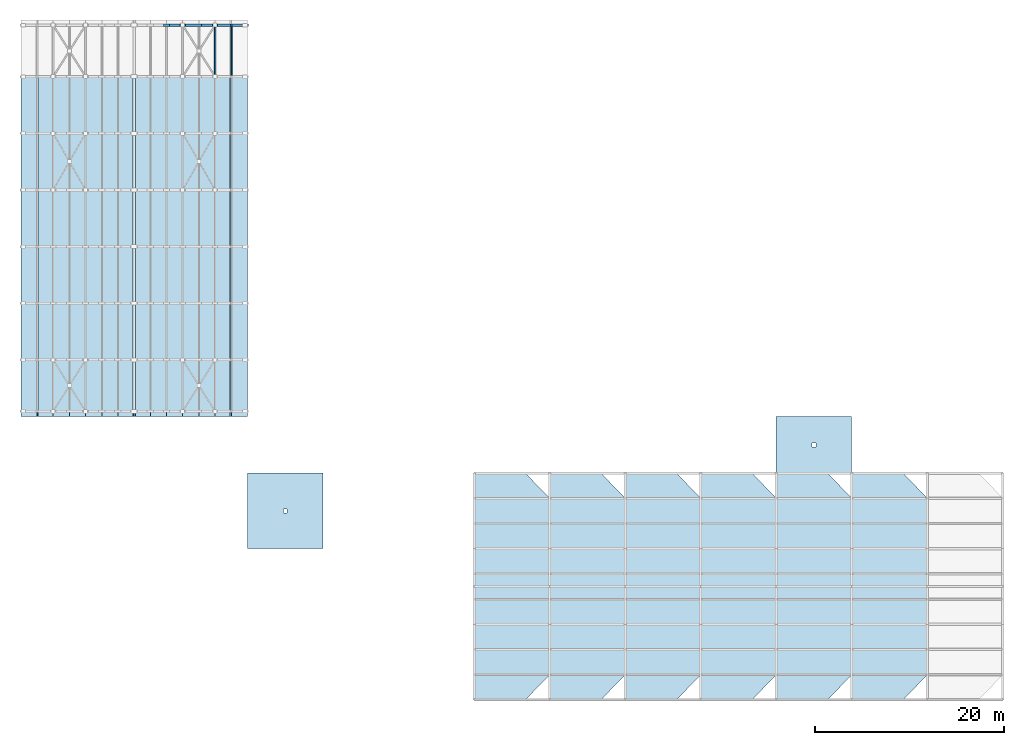
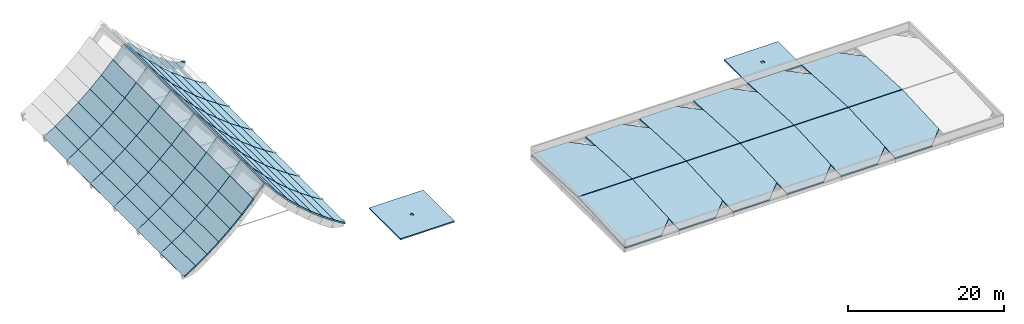
# One storey, part 4 of 7: 98 slabs, 7 members.
"""IFC4 building model written with IfcOpenShell, lengths in metres."""

from ifc_helpers import new_model, si_unit, direction, frame, origin, origin_2d, place, context, subcontext, project, spatial, polyline, rectangle, outline, extrude, material, layer, layer_set, material_profile, profile_set, type_object, element, save


model = new_model("IFC4")

# Units and contexts
model_context = context("Model", 3, precision=1e-05, world=origin(), true_north=direction((0.0, 1.0)))
body_context = subcontext(model_context, "Body", "Model", "MODEL_VIEW")
ifc_project = project(units=[si_unit("LENGTHUNIT", "METRE"), si_unit("AREAUNIT", "SQUARE_METRE"), si_unit("VOLUMEUNIT", "CUBIC_METRE"), si_unit("PLANEANGLEUNIT", "RADIAN"), si_unit("MASSUNIT", "GRAM", prefix="KILO")], contexts=[model_context])

# Site, building, storey
site_placement = place(None, origin())
site = spatial("IfcSite", under=ifc_project, at=site_placement, CompositionType="ELEMENT")
building_placement = place(site_placement, origin())
building = spatial("IfcBuilding", under=site, at=building_placement, Name="Solvane Community Centre", CompositionType="ELEMENT")
storey_placement = place(building_placement, frame((0.0, 0.0, 22.199951171875)))
storey = spatial("IfcBuildingStorey", under=building, at=storey_placement, Name="RF", CompositionType="ELEMENT", Elevation=22.199951171875)

# Members
ifc_material_1 = material(Name="Glulam GL32h", Category="wood")
ifc_material_profile_1 = material_profile(ifc_material_1, rectangle(XDim=0.280029296875, YDim=0.9599609375, at=origin_2d()), Name="GL32h 280x960")
ifc_profile_set_1 = profile_set([ifc_material_profile_1], Name="Glulam GL32h")
member_type_1 = type_object("IfcMemberType", Name="Main Hall Concave Vault Arch Rib 280x960", PredefinedType="USERDEFINED", material=ifc_profile_set_1)
member_1_placement = place(storey_placement, frame((51.428466796875, 77.449951171875, -0.3740234375), z_axis=(0.727369263195, 0.0, -0.686246278648), x_axis=(0.0, 1.0, 0.0)))
element("IfcMember", 1, at=member_1_placement, inside=storey, type_object=member_type_1, Name="Member MEM-RF-0114", ObjectType="ARCH_SEGMENT", PredefinedType="USERDEFINED", context=body_context, shape_type="SweptSolid", body=[
    extrude(rectangle(XDim=0.280029296875, YDim=0.9599609375, at=origin_2d()), origin(), (0.0, 0.0, 1.0), 2.35693359375),
])
member_2_placement = place(storey_placement, frame((53.142822265625, 77.449951171875, -1.991455078125), z_axis=(0.761120350915, 0.0, -0.648610677852), x_axis=(0.0, 1.0, 0.0)))
element("IfcMember", 2, at=member_2_placement, inside=storey, type_object=member_type_1, Name="Member MEM-RF-0115", ObjectType="ARCH_SEGMENT", PredefinedType="USERDEFINED", context=body_context, shape_type="SweptSolid", body=[
    extrude(rectangle(XDim=0.280029296875, YDim=0.9599609375, at=origin_2d()), origin(), (0.0, 0.0, 1.0), 2.25244140625),
])
member_3_placement = place(storey_placement, frame((54.857177734375, 77.449951171875, -3.452392578125), z_axis=(0.791780697504, 0.0, -0.610805473993), x_axis=(0.0, 1.0, 0.0)))
element("IfcMember", 3, at=member_3_placement, inside=storey, type_object=member_type_1, Name="Member MEM-RF-0116", ObjectType="ARCH_SEGMENT", PredefinedType="USERDEFINED", context=body_context, shape_type="SweptSolid", body=[
    extrude(rectangle(XDim=0.280029296875, YDim=0.9599609375, at=origin_2d()), origin(), (0.0, 0.0, 1.0), 2.165283203125),
])
member_4_placement = place(storey_placement, frame((56.571533203125, 77.449951171875, -4.77490234375), z_axis=(0.819489561323, 0.0, -0.57309410997), x_axis=(0.0, 1.0, 0.0)))
element("IfcMember", 4, at=member_4_placement, inside=storey, type_object=member_type_1, Name="Member MEM-RF-0117", ObjectType="ARCH_SEGMENT", PredefinedType="USERDEFINED", context=body_context, shape_type="SweptSolid", body=[
    extrude(rectangle(XDim=0.280029296875, YDim=0.9599609375, at=origin_2d()), origin(), (0.0, 0.0, 1.0), 2.091796875),
])
member_5_placement = place(storey_placement, frame((58.28564453125, 77.449951171875, -5.9736328125), z_axis=(0.982352033108, 0.0, -0.187041393943), x_axis=(0.0, 1.0, 0.0)))
element("IfcMember", 5, at=member_5_placement, inside=storey, type_object=member_type_1, Name="Member MEM-RF-0118", ObjectType="ARCH_SEGMENT", PredefinedType="USERDEFINED", context=body_context, shape_type="SweptSolid", body=[
    extrude(rectangle(XDim=0.280029296875, YDim=0.9599609375, at=origin_2d()), origin(), (0.0, 0.0, 1.0), 1.7451171875),
])
ifc_material_2 = material(Name="Glulam GL28h", Category="wood")
ifc_material_profile_2 = material_profile(ifc_material_2, rectangle(XDim=0.159912109375, YDim=0.360107421875, at=origin_2d()), Name="GL28h 160x360")
ifc_profile_set_2 = profile_set([ifc_material_profile_2], Name="Glulam GL28h")
member_type_2 = type_object("IfcMemberType", Name="Main Hall Vault Purlin 160x360", PredefinedType="PURLIN", material=ifc_profile_set_2)
for number, where, z_axis, x_axis, name in (
    (6, (56.571533203125, 72.0, -4.139892578125), (0.0, 1.0, 0.0), (-1.0, 0.0, 0.0), "Member MEM-RF-0209"),
    (7, (58.28564453125, 72.0, -5.338623046875), (0.0, 1.0, 0.0), (-1.0, 0.0, 0.0), "Member MEM-RF-0210"),
):
    element("IfcMember", number, at=place(storey_placement, frame(where, z_axis=z_axis, x_axis=x_axis)), inside=storey, type_object=member_type_2, Name=name, PredefinedType="PURLIN", context=body_context, shape_type="SweptSolid", body=[
        extrude(rectangle(XDim=0.159912109375, YDim=0.360107421875, at=origin_2d()), origin(), (0.0, 0.0, 1.0), 5.449951171875),
    ])

# Slabs
ifc_material_3 = material(Name="Cross-laminated timber C24", Category="wood")
ifc_layer_1 = layer(ifc_material_3, 0.199951171875)
ifc_layer_set_1 = layer_set([ifc_layer_1], Name="Cross-laminated timber C24")
slab_type_1 = type_object("IfcSlabType", Name="Insulated Pitched Roof Deck 200mm", PredefinedType="ROOF", material=ifc_layer_set_1)
slab_1_placement = place(storey_placement, frame((84.0, 6.0, 0.0), z_axis=(-7.218728e-06, -0.049949304334, 0.998751754414), x_axis=(0.999999999974, -3.6057e-07, 7.209717e-06)))
element("IfcSlab", 8, at=slab_1_placement, inside=storey, type_object=slab_type_1, Name="Pitched Roof SLB-PRF-V4-S1", PredefinedType="ROOF", context=body_context, shape_type="SweptSolid", body=[
    extrude(outline(polyline([(0.0, 0.0), (5.439941406108263, -2.8798810013916504e-22), (8.000000000625322, 2.632197648155185), (7.999999999924966, 11.964887212298295), (1.3340474325007824e-10, 11.964887212298295), (0.0, 0.0)])), origin(), (0.0, 0.0, -1.0), 0.199951171875),
])
slab_2_placement = place(storey_placement, frame((84.0, 18.050048828125, 0.59765625), z_axis=(-7.218728e-06, 0.049949304334, 0.998751754414), x_axis=(0.999999999974, 3.6057e-07, 7.209717e-06)))
element("IfcSlab", 9, at=slab_2_placement, inside=storey, type_object=slab_type_1, Name="Pitched Roof SLB-PRF-V4-N1", PredefinedType="ROOF", context=body_context, shape_type="SweptSolid", body=[
    extrude(outline(polyline([(0.0, 0.0), (7.9999999997915605, 4.235164736271502e-22), (8.000000000491916, 9.332689564143111), (5.439941405974857, 11.964887212298295), (-1.3340474325007824e-10, 11.964887212298295), (0.0, 0.0)])), origin(), (0.0, 0.0, -1.0), 0.199951171875),
])
slab_3_placement = place(storey_placement, frame((92.0, 6.0, 0.0), z_axis=(-7.218728e-06, -0.049949304334, 0.998751754414), x_axis=(0.999999999974, -3.6057e-07, 7.209717e-06)))
element("IfcSlab", 10, at=slab_3_placement, inside=storey, type_object=slab_type_1, Name="Pitched Roof SLB-PRF-V4-S2", PredefinedType="ROOF", context=body_context, shape_type="SweptSolid", body=[
    extrude(outline(polyline([(0.0, 0.0), (5.439941406108263, -2.8798810013916504e-22), (8.000000000625322, 2.632197648155185), (7.999999999924966, 11.964887212298295), (1.3340474325007824e-10, 11.964887212298295), (0.0, 0.0)])), origin(), (0.0, 0.0, -1.0), 0.199951171875),
])
slab_4_placement = place(storey_placement, frame((92.0, 18.050048828125, 0.59765625), z_axis=(-7.218728e-06, 0.049949304334, 0.998751754414), x_axis=(0.999999999974, 3.6057e-07, 7.209717e-06)))
element("IfcSlab", 11, at=slab_4_placement, inside=storey, type_object=slab_type_1, Name="Pitched Roof SLB-PRF-V4-N2", PredefinedType="ROOF", context=body_context, shape_type="SweptSolid", body=[
    extrude(outline(polyline([(0.0, 0.0), (7.9999999997915605, 4.235164736271502e-22), (8.000000000491916, 9.332689564143111), (5.439941405974857, 11.964887212298295), (-1.3340474325007824e-10, 11.964887212298295), (0.0, 0.0)])), origin(), (0.0, 0.0, -1.0), 0.199951171875),
])
slab_5_placement = place(storey_placement, frame((100.0, 6.0, 0.0), z_axis=(-7.218728e-06, -0.049949304334, 0.998751754414), x_axis=(0.999999999974, -3.6057e-07, 7.209717e-06)))
element("IfcSlab", 12, at=slab_5_placement, inside=storey, type_object=slab_type_1, Name="Pitched Roof SLB-PRF-V4-S3", PredefinedType="ROOF", context=body_context, shape_type="SweptSolid", body=[
    extrude(outline(polyline([(0.0, 0.0), (5.439941406108263, -2.8798810013916504e-22), (8.000000000625322, 2.632197648155185), (7.999999999924966, 11.964887212298295), (1.3340474325007824e-10, 11.964887212298295), (0.0, 0.0)])), origin(), (0.0, 0.0, -1.0), 0.199951171875),
])
slab_6_placement = place(storey_placement, frame((100.0, 18.050048828125, 0.59765625), z_axis=(-7.218728e-06, 0.049949304334, 0.998751754414), x_axis=(0.999999999974, 3.6057e-07, 7.209717e-06)))
element("IfcSlab", 13, at=slab_6_placement, inside=storey, type_object=slab_type_1, Name="Pitched Roof SLB-PRF-V4-N3", PredefinedType="ROOF", context=body_context, shape_type="SweptSolid", body=[
    extrude(outline(polyline([(0.0, 0.0), (7.9999999997915605, 4.235164736271502e-22), (8.000000000491916, 9.332689564143111), (5.439941405974857, 11.964887212298295), (-1.3340474325007824e-10, 11.964887212298295), (0.0, 0.0)])), origin(), (0.0, 0.0, -1.0), 0.199951171875),
])
slab_7_placement = place(storey_placement, frame((108.0, 6.0, 0.0), z_axis=(-7.218728e-06, -0.049949304334, 0.998751754414), x_axis=(0.999999999974, -3.6057e-07, 7.209717e-06)))
element("IfcSlab", 14, at=slab_7_placement, inside=storey, type_object=slab_type_1, Name="Pitched Roof SLB-PRF-V4-S4", PredefinedType="ROOF", context=body_context, shape_type="SweptSolid", body=[
    extrude(outline(polyline([(0.0, 0.0), (5.439941406108263, -2.8798810013916504e-22), (8.000000000625322, 2.632197648155185), (7.999999999924966, 11.964887212298295), (1.3340474325007824e-10, 11.964887212298295), (0.0, 0.0)])), origin(), (0.0, 0.0, -1.0), 0.199951171875),
])
slab_8_placement = place(storey_placement, frame((108.0, 18.050048828125, 0.59765625), z_axis=(-7.218728e-06, 0.049949304334, 0.998751754414), x_axis=(0.999999999974, 3.6057e-07, 7.209717e-06)))
element("IfcSlab", 15, at=slab_8_placement, inside=storey, type_object=slab_type_1, Name="Pitched Roof SLB-PRF-V4-N4", PredefinedType="ROOF", context=body_context, shape_type="SweptSolid", body=[
    extrude(outline(polyline([(0.0, 0.0), (7.9999999997915605, 4.235164736271502e-22), (8.000000000491916, 9.332689564143111), (5.439941405974857, 11.964887212298295), (-1.3340474325007824e-10, 11.964887212298295), (0.0, 0.0)])), origin(), (0.0, 0.0, -1.0), 0.199951171875),
])
slab_9_placement = place(storey_placement, frame((116.0, 6.0, 0.0), z_axis=(-7.218728e-06, -0.049949304334, 0.998751754414), x_axis=(0.999999999974, -3.6057e-07, 7.209717e-06)))
element("IfcSlab", 16, at=slab_9_placement, inside=storey, type_object=slab_type_1, Name="Pitched Roof SLB-PRF-V4-S5", PredefinedType="ROOF", context=body_context, shape_type="SweptSolid", body=[
    extrude(outline(polyline([(0.0, 0.0), (5.439941406108263, -2.8798810013916504e-22), (8.000000000625322, 2.632197648155185), (7.999999999924966, 11.964887212298295), (1.3340474325007824e-10, 11.964887212298295), (0.0, 0.0)])), origin(), (0.0, 0.0, -1.0), 0.199951171875),
])
slab_10_placement = place(storey_placement, frame((116.0, 18.050048828125, 0.59765625), z_axis=(-7.218728e-06, 0.049949304334, 0.998751754414), x_axis=(0.999999999974, 3.6057e-07, 7.209717e-06)))
element("IfcSlab", 17, at=slab_10_placement, inside=storey, type_object=slab_type_1, Name="Pitched Roof SLB-PRF-V4-N5", PredefinedType="ROOF", context=body_context, shape_type="SweptSolid", body=[
    extrude(outline(polyline([(0.0, 0.0), (7.9999999997915605, 4.235164736271502e-22), (8.000000000491916, 9.332689564143111), (5.439941405974857, 11.964887212298295), (-1.3340474325007824e-10, 11.964887212298295), (0.0, 0.0)])), origin(), (0.0, 0.0, -1.0), 0.199951171875),
])
slab_11_placement = place(storey_placement, frame((124.0, 6.0, 0.0), z_axis=(-7.218728e-06, -0.049949304334, 0.998751754414), x_axis=(0.999999999974, -3.6057e-07, 7.209717e-06)))
element("IfcSlab", 18, at=slab_11_placement, inside=storey, type_object=slab_type_1, Name="Pitched Roof SLB-PRF-V4-S6", PredefinedType="ROOF", context=body_context, shape_type="SweptSolid", body=[
    extrude(outline(polyline([(0.0, 0.0), (5.439941406108263, -2.8798810013916504e-22), (8.000000000625322, 2.632197648155185), (7.999999999924966, 11.964887212298295), (1.3340474325007824e-10, 11.964887212298295), (0.0, 0.0)])), origin(), (0.0, 0.0, -1.0), 0.199951171875),
])
slab_12_placement = place(storey_placement, frame((124.0, 18.050048828125, 0.59765625), z_axis=(-7.218728e-06, 0.049949304334, 0.998751754414), x_axis=(0.999999999974, 3.6057e-07, 7.209717e-06)))
element("IfcSlab", 19, at=slab_12_placement, inside=storey, type_object=slab_type_1, Name="Pitched Roof SLB-PRF-V4-N6", PredefinedType="ROOF", context=body_context, shape_type="SweptSolid", body=[
    extrude(outline(polyline([(0.0, 0.0), (7.9999999997915605, 4.235164736271502e-22), (8.000000000491916, 9.332689564143111), (5.439941405974857, 11.964887212298295), (-1.3340474325007824e-10, 11.964887212298295), (0.0, 0.0)])), origin(), (0.0, 0.0, -1.0), 0.199951171875),
])
ifc_material_4 = material(Name="Concrete C35/45", Category="concrete")
ifc_layer_2 = layer(ifc_material_4, 0.219970703125)
ifc_layer_set_2 = layer_set([ifc_layer_2], Name="Concrete C35/45")
slab_type_2 = type_object("IfcSlabType", Name="RC Core Shaft Roof Cap 220mm", PredefinedType="ROOF", material=ifc_layer_set_2)
slab_13_placement = place(storey_placement, frame((0.0, 0.0, -0.199951171875)))
element("IfcSlab", 20, at=slab_13_placement, inside=storey, type_object=slab_type_2, Name="Core Roof Cap C1", PredefinedType="ROOF", context=body_context, shape_type="SweptSolid", body=[
    extrude(outline(polyline([(60.0, 22.0), (68.0, 22.0), (68.0, 30.0), (60.0, 30.0), (60.0, 22.0)]), holes=[polyline([(63.800048828125, 25.800048828125), (64.199951171875, 25.800048828125), (64.199951171875, 26.199951171875), (63.800048828125, 26.199951171875), (63.800048828125, 25.800048828125)])]), origin(), (0.0, 0.0, 1.0), 0.199951171875),
])
slab_14_placement = place(storey_placement, frame((0.0, 0.0, -0.199951171875)))
element("IfcSlab", 21, at=slab_14_placement, inside=storey, type_object=slab_type_2, Name="Core Roof Cap C4", PredefinedType="ROOF", context=body_context, shape_type="SweptSolid", body=[
    extrude(outline(polyline([(116.0, 30.0), (124.0, 30.0), (124.0, 36.0), (116.0, 36.0), (116.0, 30.0)]), holes=[polyline([(119.800048828125, 32.800048828125), (120.199951171875, 32.800048828125), (120.199951171875, 33.199951171875), (119.800048828125, 33.199951171875), (119.800048828125, 32.800048828125)])]), origin(), (0.0, 0.0, 1.0), 0.199951171875),
])
ifc_layer_3 = layer(ifc_material_3, 0.199951171875)
ifc_layer_set_3 = layer_set([ifc_layer_3], Name="Cross-laminated timber C24")
slab_type_3 = type_object("IfcSlabType", Name="V1 Vault Roof Strip Slope 1 200mm", PredefinedType="ROOF", material=ifc_layer_set_3)
for number, where, z_axis, x_axis, name in (
    (22, (36.0, 36.0, -6.0), (-0.537939263543, 0.0, 0.84298359933), (0.84298359933, 0.0, 0.537939263543), "V1 Vault Roof Strip L1 Bay 1"),
    (23, (58.28564453125, 36.0, -4.906005859375), (0.537939263543, 0.0, 0.84298359933), (0.84298359933, 0.0, -0.537939263543), "V1 Vault Roof Strip R7 Bay 1"),
    (24, (36.0, 42.0, -6.0), (-0.537939263543, 0.0, 0.84298359933), (0.84298359933, 0.0, 0.537939263543), "V1 Vault Roof Strip L1 Bay 2"),
    (25, (58.28564453125, 42.0, -4.906005859375), (0.537939263543, 0.0, 0.84298359933), (0.84298359933, 0.0, -0.537939263543), "V1 Vault Roof Strip R7 Bay 2"),
    (26, (36.0, 48.0, -6.0), (-0.537939263543, 0.0, 0.84298359933), (0.84298359933, 0.0, 0.537939263543), "V1 Vault Roof Strip L1 Bay 3"),
    (27, (58.28564453125, 48.0, -4.906005859375), (0.537939263543, 0.0, 0.84298359933), (0.84298359933, 0.0, -0.537939263543), "V1 Vault Roof Strip R7 Bay 3"),
    (28, (36.0, 54.0, -6.0), (-0.537939263543, 0.0, 0.84298359933), (0.84298359933, 0.0, 0.537939263543), "V1 Vault Roof Strip L1 Bay 4"),
    (29, (58.28564453125, 54.0, -4.906005859375), (0.537939263543, 0.0, 0.84298359933), (0.84298359933, 0.0, -0.537939263543), "V1 Vault Roof Strip R7 Bay 4"),
    (30, (36.0, 60.0, -6.0), (-0.537939263543, 0.0, 0.84298359933), (0.84298359933, 0.0, 0.537939263543), "V1 Vault Roof Strip L1 Bay 5"),
    (31, (58.28564453125, 60.0, -4.906005859375), (0.537939263543, 0.0, 0.84298359933), (0.84298359933, 0.0, -0.537939263543), "V1 Vault Roof Strip R7 Bay 5"),
    (32, (36.0, 66.0, -6.0), (-0.537939263543, 0.0, 0.84298359933), (0.84298359933, 0.0, 0.537939263543), "V1 Vault Roof Strip L1 Bay 6"),
    (33, (58.28564453125, 66.0, -4.906005859375), (0.537939263543, 0.0, 0.84298359933), (0.84298359933, 0.0, -0.537939263543), "V1 Vault Roof Strip R7 Bay 6"),
):
    element("IfcSlab", number, at=place(storey_placement, frame(where, z_axis=z_axis, x_axis=x_axis)), inside=storey, type_object=slab_type_3, Name=name, PredefinedType="ROOF", context=body_context, shape_type="SweptSolid", body=[
        extrude(outline(polyline([(0.0, 0.0), (2.0336759459055576, 0.0), (2.0336759459055576, 6.0), (0.0, 6.0), (0.0, 0.0)])), origin(), (0.0, 0.0, -1.0), 0.199951171875),
    ])
ifc_layer_4 = layer(ifc_material_3, 0.199951171875)
ifc_layer_set_4 = layer_set([ifc_layer_4], Name="Cross-laminated timber C24")
slab_type_4 = type_object("IfcSlabType", Name="V1 Vault Roof Strip Slope 2 200mm", PredefinedType="ROOF", material=ifc_layer_set_4)
for number, where, z_axis, x_axis, name in (
    (34, (37.71435546875, 36.0, -4.906005859375), (-0.575905782342, 0.0, 0.817516073154), (0.817516073154, 0.0, 0.575905782342), "V1 Vault Roof Strip L2 Bay 1"),
    (35, (56.571533203125, 36.0, -3.698486328125), (0.575905782342, 0.0, 0.817516073154), (0.817516073154, 0.0, -0.575905782342), "V1 Vault Roof Strip R6 Bay 1"),
    (36, (37.71435546875, 42.0, -4.906005859375), (-0.575905782342, 0.0, 0.817516073154), (0.817516073154, 0.0, 0.575905782342), "V1 Vault Roof Strip L2 Bay 2"),
    (37, (56.571533203125, 42.0, -3.698486328125), (0.575905782342, 0.0, 0.817516073154), (0.817516073154, 0.0, -0.575905782342), "V1 Vault Roof Strip R6 Bay 2"),
    (38, (37.71435546875, 48.0, -4.906005859375), (-0.575905782342, 0.0, 0.817516073154), (0.817516073154, 0.0, 0.575905782342), "V1 Vault Roof Strip L2 Bay 3"),
    (39, (56.571533203125, 48.0, -3.698486328125), (0.575905782342, 0.0, 0.817516073154), (0.817516073154, 0.0, -0.575905782342), "V1 Vault Roof Strip R6 Bay 3"),
    (40, (37.71435546875, 54.0, -4.906005859375), (-0.575905782342, 0.0, 0.817516073154), (0.817516073154, 0.0, 0.575905782342), "V1 Vault Roof Strip L2 Bay 4"),
    (41, (56.571533203125, 54.0, -3.698486328125), (0.575905782342, 0.0, 0.817516073154), (0.817516073154, 0.0, -0.575905782342), "V1 Vault Roof Strip R6 Bay 4"),
    (42, (37.71435546875, 60.0, -4.906005859375), (-0.575905782342, 0.0, 0.817516073154), (0.817516073154, 0.0, 0.575905782342), "V1 Vault Roof Strip L2 Bay 5"),
    (43, (56.571533203125, 60.0, -3.698486328125), (0.575905782342, 0.0, 0.817516073154), (0.817516073154, 0.0, -0.575905782342), "V1 Vault Roof Strip R6 Bay 5"),
    (44, (37.71435546875, 66.0, -4.906005859375), (-0.575905782342, 0.0, 0.817516073154), (0.817516073154, 0.0, 0.575905782342), "V1 Vault Roof Strip L2 Bay 6"),
    (45, (56.571533203125, 66.0, -3.698486328125), (0.575905782342, 0.0, 0.817516073154), (0.817516073154, 0.0, -0.575905782342), "V1 Vault Roof Strip R6 Bay 6"),
):
    element("IfcSlab", number, at=place(storey_placement, frame(where, z_axis=z_axis, x_axis=x_axis)), inside=storey, type_object=slab_type_4, Name=name, PredefinedType="ROOF", context=body_context, shape_type="SweptSolid", body=[
        extrude(outline(polyline([(0.0, 0.0), (2.0967310422552226, 0.0), (2.0967310422552226, 6.000000000000002), (0.0, 6.000000000000002), (0.0, 0.0)])), origin(), (0.0, 0.0, -1.0), 0.199951171875),
    ])
ifc_layer_5 = layer(ifc_material_3, 0.199951171875)
ifc_layer_set_5 = layer_set([ifc_layer_5], Name="Cross-laminated timber C24")
slab_type_5 = type_object("IfcSlabType", Name="V1 Vault Roof Strip Slope 3 200mm", PredefinedType="ROOF", material=ifc_layer_set_5)
for number, where, z_axis, x_axis, name in (
    (46, (39.428466796875, 36.0, -3.698486328125), (-0.613761572762, 0.0, 0.789491438713), (0.789491438713, 0.0, 0.613761572762), "V1 Vault Roof Strip L3 Bay 1"),
    (47, (54.857177734375, 36.0, -2.36572265625), (0.613761572762, 0.0, 0.789491438713), (0.789491438713, 0.0, -0.613761572762), "V1 Vault Roof Strip R5 Bay 1"),
    (48, (39.428466796875, 42.0, -3.698486328125), (-0.613761572762, 0.0, 0.789491438713), (0.789491438713, 0.0, 0.613761572762), "V1 Vault Roof Strip L3 Bay 2"),
    (49, (54.857177734375, 42.0, -2.36572265625), (0.613761572762, 0.0, 0.789491438713), (0.789491438713, 0.0, -0.613761572762), "V1 Vault Roof Strip R5 Bay 2"),
    (50, (39.428466796875, 48.0, -3.698486328125), (-0.613761572762, 0.0, 0.789491438713), (0.789491438713, 0.0, 0.613761572762), "V1 Vault Roof Strip L3 Bay 3"),
    (51, (54.857177734375, 48.0, -2.36572265625), (0.613761572762, 0.0, 0.789491438713), (0.789491438713, 0.0, -0.613761572762), "V1 Vault Roof Strip R5 Bay 3"),
    (52, (39.428466796875, 54.0, -3.698486328125), (-0.613761572762, 0.0, 0.789491438713), (0.789491438713, 0.0, 0.613761572762), "V1 Vault Roof Strip L3 Bay 4"),
    (53, (54.857177734375, 54.0, -2.36572265625), (0.613761572762, 0.0, 0.789491438713), (0.789491438713, 0.0, -0.613761572762), "V1 Vault Roof Strip R5 Bay 4"),
    (54, (39.428466796875, 60.0, -3.698486328125), (-0.613761572762, 0.0, 0.789491438713), (0.789491438713, 0.0, 0.613761572762), "V1 Vault Roof Strip L3 Bay 5"),
    (55, (54.857177734375, 60.0, -2.36572265625), (0.613761572762, 0.0, 0.789491438713), (0.789491438713, 0.0, -0.613761572762), "V1 Vault Roof Strip R5 Bay 5"),
    (56, (39.428466796875, 66.0, -3.698486328125), (-0.613761572762, 0.0, 0.789491438713), (0.789491438713, 0.0, 0.613761572762), "V1 Vault Roof Strip L3 Bay 6"),
    (57, (54.857177734375, 66.0, -2.36572265625), (0.613761572762, 0.0, 0.789491438713), (0.789491438713, 0.0, -0.613761572762), "V1 Vault Roof Strip R5 Bay 6"),
):
    element("IfcSlab", number, at=place(storey_placement, frame(where, z_axis=z_axis, x_axis=x_axis)), inside=storey, type_object=slab_type_5, Name=name, PredefinedType="ROOF", context=body_context, shape_type="SweptSolid", body=[
        extrude(outline(polyline([(0.0, 0.0), (2.171468092858554, 0.0), (2.171468092858554, 6.0), (0.0, 6.0), (0.0, 0.0)])), origin(), (0.0, 0.0, -1.0), 0.199951171875),
    ])
ifc_layer_6 = layer(ifc_material_3, 0.199951171875)
ifc_layer_set_6 = layer_set([ifc_layer_6], Name="Cross-laminated timber C24")
slab_type_6 = type_object("IfcSlabType", Name="V1 Vault Roof Strip Slope 4 200mm", PredefinedType="ROOF", material=ifc_layer_set_6)
for number, where, z_axis, x_axis, name in (
    (58, (41.142822265625, 36.0, -2.36572265625), (-0.651795863022, 0.0, 0.758394457355), (0.758394457355, 0.0, 0.651795863022), "V1 Vault Roof Strip L4 Bay 1"),
    (59, (53.142822265625, 36.0, -0.892333984375), (0.651795863022, 0.0, 0.758394457355), (0.758394457355, 0.0, -0.651795863022), "V1 Vault Roof Strip R4 Bay 1"),
    (60, (41.142822265625, 42.0, -2.36572265625), (-0.651795863022, 0.0, 0.758394457355), (0.758394457355, 0.0, 0.651795863022), "V1 Vault Roof Strip L4 Bay 2"),
    (61, (53.142822265625, 42.0, -0.892333984375), (0.651795863022, 0.0, 0.758394457355), (0.758394457355, 0.0, -0.651795863022), "V1 Vault Roof Strip R4 Bay 2"),
    (62, (41.142822265625, 48.0, -2.36572265625), (-0.651795863022, 0.0, 0.758394457355), (0.758394457355, 0.0, 0.651795863022), "V1 Vault Roof Strip L4 Bay 3"),
    (63, (53.142822265625, 48.0, -0.892333984375), (0.651795863022, 0.0, 0.758394457355), (0.758394457355, 0.0, -0.651795863022), "V1 Vault Roof Strip R4 Bay 3"),
    (64, (41.142822265625, 54.0, -2.36572265625), (-0.651795863022, 0.0, 0.758394457355), (0.758394457355, 0.0, 0.651795863022), "V1 Vault Roof Strip L4 Bay 4"),
    (65, (53.142822265625, 54.0, -0.892333984375), (0.651795863022, 0.0, 0.758394457355), (0.758394457355, 0.0, -0.651795863022), "V1 Vault Roof Strip R4 Bay 4"),
    (66, (41.142822265625, 60.0, -2.36572265625), (-0.651795863022, 0.0, 0.758394457355), (0.758394457355, 0.0, 0.651795863022), "V1 Vault Roof Strip L4 Bay 5"),
    (67, (53.142822265625, 60.0, -0.892333984375), (0.651795863022, 0.0, 0.758394457355), (0.758394457355, 0.0, -0.651795863022), "V1 Vault Roof Strip R4 Bay 5"),
    (68, (41.142822265625, 66.0, -2.36572265625), (-0.651795863022, 0.0, 0.758394457355), (0.758394457355, 0.0, 0.651795863022), "V1 Vault Roof Strip L4 Bay 6"),
    (69, (53.142822265625, 66.0, -0.892333984375), (0.651795863022, 0.0, 0.758394457355), (0.758394457355, 0.0, -0.651795863022), "V1 Vault Roof Strip R4 Bay 6"),
):
    element("IfcSlab", number, at=place(storey_placement, frame(where, z_axis=z_axis, x_axis=x_axis)), inside=storey, type_object=slab_type_6, Name=name, PredefinedType="ROOF", context=body_context, shape_type="SweptSolid", body=[
        extrude(outline(polyline([(0.0, 0.0), (2.260506326388539, 0.0), (2.260506326388539, 6.000000000000002), (0.0, 6.000000000000002), (0.0, 0.0)])), origin(), (0.0, 0.0, -1.0), 0.199951171875),
    ])
ifc_layer_7 = layer(ifc_material_3, 0.199951171875)
ifc_layer_set_7 = layer_set([ifc_layer_7], Name="Cross-laminated timber C24")
slab_type_7 = type_object("IfcSlabType", Name="V1 Vault Roof Strip Slope 5 200mm", PredefinedType="ROOF", material=ifc_layer_set_7)
for number, where, z_axis, x_axis, name in (
    (70, (42.857177734375, 36.0, -0.892333984375), (-0.689729837538, 0.0, 0.724066814051), (0.724066814051, 0.0, 0.689729837538), "V1 Vault Roof Strip L5 Bay 1"),
    (71, (51.428466796875, 36.0, 0.74072265625), (0.689729837538, 0.0, 0.724066814051), (0.724066814051, 0.0, -0.689729837538), "V1 Vault Roof Strip R3 Bay 1"),
    (72, (42.857177734375, 42.0, -0.892333984375), (-0.689729837538, 0.0, 0.724066814051), (0.724066814051, 0.0, 0.689729837538), "V1 Vault Roof Strip L5 Bay 2"),
    (73, (51.428466796875, 42.0, 0.74072265625), (0.689729837538, 0.0, 0.724066814051), (0.724066814051, 0.0, -0.689729837538), "V1 Vault Roof Strip R3 Bay 2"),
    (74, (42.857177734375, 48.0, -0.892333984375), (-0.689729837538, 0.0, 0.724066814051), (0.724066814051, 0.0, 0.689729837538), "V1 Vault Roof Strip L5 Bay 3"),
    (75, (51.428466796875, 48.0, 0.74072265625), (0.689729837538, 0.0, 0.724066814051), (0.724066814051, 0.0, -0.689729837538), "V1 Vault Roof Strip R3 Bay 3"),
    (76, (42.857177734375, 54.0, -0.892333984375), (-0.689729837538, 0.0, 0.724066814051), (0.724066814051, 0.0, 0.689729837538), "V1 Vault Roof Strip L5 Bay 4"),
    (77, (51.428466796875, 54.0, 0.74072265625), (0.689729837538, 0.0, 0.724066814051), (0.724066814051, 0.0, -0.689729837538), "V1 Vault Roof Strip R3 Bay 4"),
    (78, (42.857177734375, 60.0, -0.892333984375), (-0.689729837538, 0.0, 0.724066814051), (0.724066814051, 0.0, 0.689729837538), "V1 Vault Roof Strip L5 Bay 5"),
    (79, (51.428466796875, 60.0, 0.74072265625), (0.689729837538, 0.0, 0.724066814051), (0.724066814051, 0.0, -0.689729837538), "V1 Vault Roof Strip R3 Bay 5"),
    (80, (42.857177734375, 66.0, -0.892333984375), (-0.689729837538, 0.0, 0.724066814051), (0.724066814051, 0.0, 0.689729837538), "V1 Vault Roof Strip L5 Bay 6"),
    (81, (51.428466796875, 66.0, 0.74072265625), (0.689729837538, 0.0, 0.724066814051), (0.724066814051, 0.0, -0.689729837538), "V1 Vault Roof Strip R3 Bay 6"),
):
    element("IfcSlab", number, at=place(storey_placement, frame(where, z_axis=z_axis, x_axis=x_axis)), inside=storey, type_object=slab_type_7, Name=name, PredefinedType="ROOF", context=body_context, shape_type="SweptSolid", body=[
        extrude(outline(polyline([(0.0, 0.0), (2.3676757938371633, 0.0), (2.3676757938371633, 6.0), (0.0, 6.0), (0.0, 0.0)])), origin(), (0.0, 0.0, -1.0), 0.199951171875),
    ])
ifc_layer_8 = layer(ifc_material_3, 0.199951171875)
ifc_layer_set_8 = layer_set([ifc_layer_8], Name="Cross-laminated timber C24")
slab_type_8 = type_object("IfcSlabType", Name="V1 Vault Roof Strip Slope 6 200mm", PredefinedType="ROOF", material=ifc_layer_set_8)
for number, where, z_axis, x_axis, name in (
    (82, (44.571533203125, 36.0, 0.74072265625), (-0.727703636837, 0.0, 0.685891694755), (0.685891694755, 0.0, 0.727703636837), "V1 Vault Roof Strip L6 Bay 1"),
    (83, (49.71435546875, 36.0, 2.559326171875), (0.727703636837, 0.0, 0.685891694755), (0.685891694755, 0.0, -0.727703636837), "V1 Vault Roof Strip R2 Bay 1"),
    (84, (44.571533203125, 42.0, 0.74072265625), (-0.727703636837, 0.0, 0.685891694755), (0.685891694755, 0.0, 0.727703636837), "V1 Vault Roof Strip L6 Bay 2"),
    (85, (49.71435546875, 42.0, 2.559326171875), (0.727703636837, 0.0, 0.685891694755), (0.685891694755, 0.0, -0.727703636837), "V1 Vault Roof Strip R2 Bay 2"),
    (86, (44.571533203125, 48.0, 0.74072265625), (-0.727703636837, 0.0, 0.685891694755), (0.685891694755, 0.0, 0.727703636837), "V1 Vault Roof Strip L6 Bay 3"),
    (87, (49.71435546875, 48.0, 2.559326171875), (0.727703636837, 0.0, 0.685891694755), (0.685891694755, 0.0, -0.727703636837), "V1 Vault Roof Strip R2 Bay 3"),
    (88, (44.571533203125, 54.0, 0.74072265625), (-0.727703636837, 0.0, 0.685891694755), (0.685891694755, 0.0, 0.727703636837), "V1 Vault Roof Strip L6 Bay 4"),
    (89, (49.71435546875, 54.0, 2.559326171875), (0.727703636837, 0.0, 0.685891694755), (0.685891694755, 0.0, -0.727703636837), "V1 Vault Roof Strip R2 Bay 4"),
    (90, (44.571533203125, 60.0, 0.74072265625), (-0.727703636837, 0.0, 0.685891694755), (0.685891694755, 0.0, 0.727703636837), "V1 Vault Roof Strip L6 Bay 5"),
    (91, (49.71435546875, 60.0, 2.559326171875), (0.727703636837, 0.0, 0.685891694755), (0.685891694755, 0.0, -0.727703636837), "V1 Vault Roof Strip R2 Bay 5"),
    (92, (44.571533203125, 66.0, 0.74072265625), (-0.727703636837, 0.0, 0.685891694755), (0.685891694755, 0.0, 0.727703636837), "V1 Vault Roof Strip L6 Bay 6"),
    (93, (49.71435546875, 66.0, 2.559326171875), (0.727703636837, 0.0, 0.685891694755), (0.685891694755, 0.0, -0.727703636837), "V1 Vault Roof Strip R2 Bay 6"),
):
    element("IfcSlab", number, at=place(storey_placement, frame(where, z_axis=z_axis, x_axis=x_axis)), inside=storey, type_object=slab_type_8, Name=name, PredefinedType="ROOF", context=body_context, shape_type="SweptSolid", body=[
        extrude(outline(polyline([(0.0, 0.0), (2.499099116131663, 0.0), (2.499099116131663, 6.0), (0.0, 6.0), (0.0, 0.0)])), origin(), (0.0, 0.0, -1.0), 0.199951171875),
    ])
ifc_layer_9 = layer(ifc_material_3, 0.199951171875)
ifc_layer_set_9 = layer_set([ifc_layer_9], Name="Cross-laminated timber C24")
slab_type_9 = type_object("IfcSlabType", Name="V1 Vault Roof Strip Slope 7 200mm", PredefinedType="ROOF", material=ifc_layer_set_9)
for number, where, z_axis, x_axis, name in (
    (94, (46.28564453125, 36.0, 2.559326171875), (-0.765712626193, 0.0, 0.643182846545), (0.643182846545, 0.0, 0.765712626193), "V1 Vault Roof Strip L7 Bay 1"),
    (95, (48.1201171875, 36.0, 4.457275390625), (0.765712626193, 0.0, 0.643182846545), (0.643182846545, 0.0, -0.765712626193), "V1 Vault Roof Strip R1 Bay 1"),
    (96, (46.28564453125, 42.0, 2.559326171875), (-0.765712626193, 0.0, 0.643182846545), (0.643182846545, 0.0, 0.765712626193), "V1 Vault Roof Strip L7 Bay 2"),
    (97, (48.1201171875, 42.0, 4.457275390625), (0.765712626193, 0.0, 0.643182846545), (0.643182846545, 0.0, -0.765712626193), "V1 Vault Roof Strip R1 Bay 2"),
    (98, (46.28564453125, 48.0, 2.559326171875), (-0.765712626193, 0.0, 0.643182846545), (0.643182846545, 0.0, 0.765712626193), "V1 Vault Roof Strip L7 Bay 3"),
    (99, (48.1201171875, 48.0, 4.457275390625), (0.765712626193, 0.0, 0.643182846545), (0.643182846545, 0.0, -0.765712626193), "V1 Vault Roof Strip R1 Bay 3"),
    (100, (46.28564453125, 54.0, 2.559326171875), (-0.765712626193, 0.0, 0.643182846545), (0.643182846545, 0.0, 0.765712626193), "V1 Vault Roof Strip L7 Bay 4"),
    (101, (48.1201171875, 54.0, 4.457275390625), (0.765712626193, 0.0, 0.643182846545), (0.643182846545, 0.0, -0.765712626193), "V1 Vault Roof Strip R1 Bay 4"),
    (102, (46.28564453125, 60.0, 2.559326171875), (-0.765712626193, 0.0, 0.643182846545), (0.643182846545, 0.0, 0.765712626193), "V1 Vault Roof Strip L7 Bay 5"),
    (103, (48.1201171875, 60.0, 4.457275390625), (0.765712626193, 0.0, 0.643182846545), (0.643182846545, 0.0, -0.765712626193), "V1 Vault Roof Strip R1 Bay 5"),
    (104, (46.28564453125, 66.0, 2.559326171875), (-0.765712626193, 0.0, 0.643182846545), (0.643182846545, 0.0, 0.765712626193), "V1 Vault Roof Strip L7 Bay 6"),
    (105, (48.1201171875, 66.0, 4.457275390625), (0.765712626193, 0.0, 0.643182846545), (0.643182846545, 0.0, -0.765712626193), "V1 Vault Roof Strip R1 Bay 6"),
):
    element("IfcSlab", number, at=place(storey_placement, frame(where, z_axis=z_axis, x_axis=x_axis)), inside=storey, type_object=slab_type_9, Name=name, PredefinedType="ROOF", context=body_context, shape_type="SweptSolid", body=[
        extrude(outline(polyline([(0.0, 0.0), (2.4786703964740227, 0.0), (2.4786703964740227, 5.999999999999999), (0.0, 5.999999999999999), (0.0, 0.0)])), origin(), (0.0, 0.0, -1.0), 0.199951171875),
    ])

save(model, "model.ifc")
